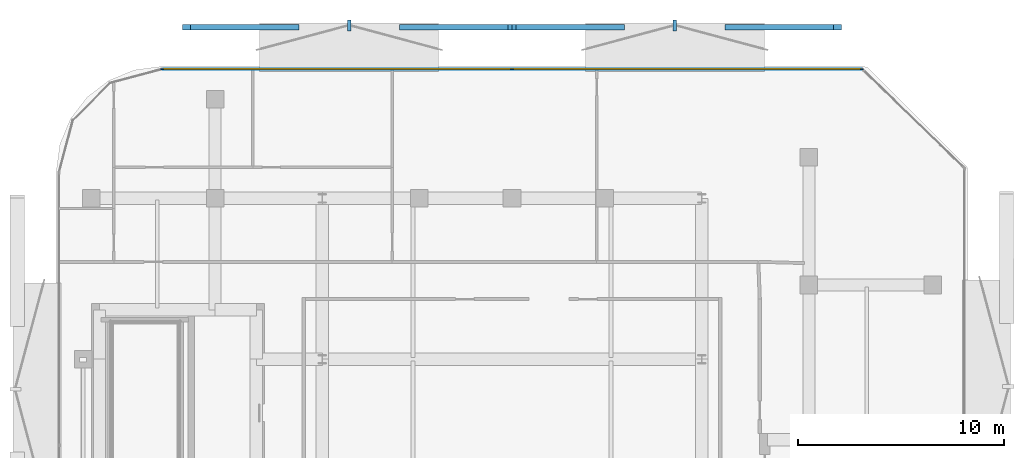
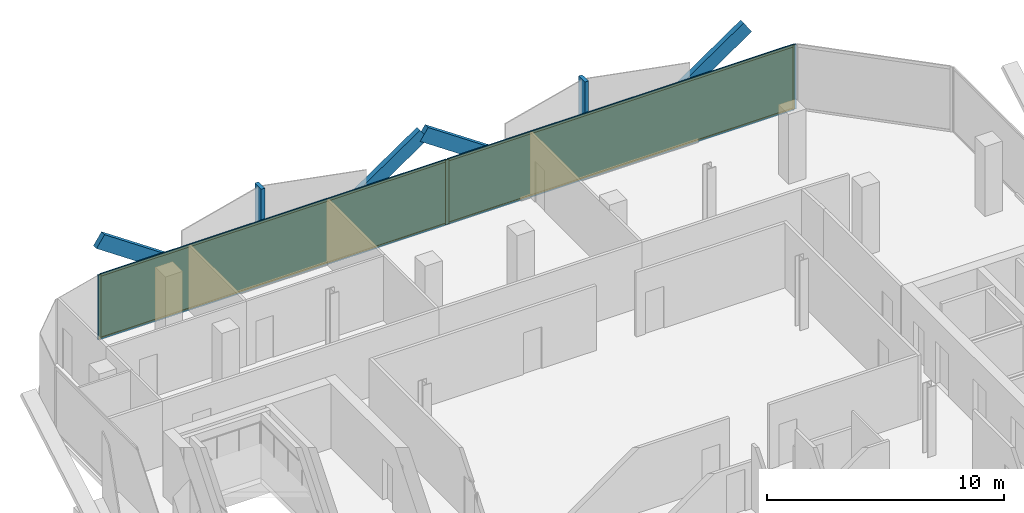
# One storey, part 10 of 14: 13 members, 2 plates, 1 curtain wall.
"""IFC4 building model written with IfcOpenShell, lengths in metres."""

import ifcopenshell
import ifcopenshell.guid

model = None  # the IFC model being written
_history = None  # IfcOwnerHistory: only IFC2X3 demands one
_inside = {}  # id of a spatial element -> (the spatial element, [elements in it])
_under = {}  # id of a project, library or spatial element -> (it, [spatial elements below it])
_declared = {}  # id of a project -> (the project, [libraries it declares])
_typed = {}  # id of a type object -> (the type object, [elements of that type])
_made_of = {}  # id of a material, layer set ... -> (it, [elements and type objects made of it])


def new_model(schema):
    """Start an empty IFC model of exactly this schema.

    Asked for "IFC4X3", IfcOpenShell would pick the latest addendum, in which some entities
    have other attributes; the version numbers below select the first issue.
    IFC2X3 requires an IfcOwnerHistory on every rooted entity: one is made here for all.
    """
    global model, _history
    if schema == "IFC4X3":
        model = ifcopenshell.file(schema_version=(4, 3, 0, 0))
    else:
        model = ifcopenshell.file(schema=schema)
    _inside.clear()
    _under.clear()
    _declared.clear()
    _typed.clear()
    _made_of.clear()
    _history = None
    if model.schema == "IFC2X3":
        org = make("IfcOrganization", Name="unknown")
        user = make(
            "IfcPersonAndOrganization",
            ThePerson=make("IfcPerson", FamilyName="unknown"),
            TheOrganization=org,
        )
        app = make(
            "IfcApplication",
            ApplicationDeveloper=org,
            Version="unknown",
            ApplicationFullName="unknown",
            ApplicationIdentifier="unknown",
        )
        _history = make(
            "IfcOwnerHistory",
            OwningUser=user,
            OwningApplication=app,
            ChangeAction="ADDED",
            CreationDate=0,
        )
    return model


def make(cls, **values):
    """One entity of the class cls with the attributes given. An attribute that is None is left unset."""
    return model.create_entity(
        cls, **{name: value for name, value in values.items() if value is not None}
    )


def rooted(cls, **values):
    """An entity with a GlobalId (a new one), such as an element, a storey or a relation."""
    return make(cls, GlobalId=ifcopenshell.guid.new(), OwnerHistory=_history, **values)


def si_unit(unit_type, name, prefix=None):
    """IfcSIUnit, for example si_unit("LENGTHUNIT", "METRE", prefix="MILLI")."""
    return make("IfcSIUnit", UnitType=unit_type, Prefix=prefix, Name=name)


def assignment(units):
    """IfcUnitAssignment: the units of a project."""
    return None if units is None else make("IfcUnitAssignment", Units=units)


def point(xyz):
    """IfcCartesianPoint."""
    return None if xyz is None else make("IfcCartesianPoint", Coordinates=xyz)


def direction(xyz):
    """IfcDirection."""
    return None if xyz is None else make("IfcDirection", DirectionRatios=xyz)


def frame(location, z_axis=None, x_axis=None):
    """IfcAxis2Placement3D, a coordinate frame: its origin and axes. An axis left out is left unset."""
    return make(
        "IfcAxis2Placement3D",
        Location=point(location),
        Axis=direction(z_axis),
        RefDirection=direction(x_axis),
    )


def frame_2d(location, x_axis=None):
    """IfcAxis2Placement2D, a coordinate frame in the plane: its origin and x axis."""
    return make(
        "IfcAxis2Placement2D", Location=point(location), RefDirection=direction(x_axis)
    )


def origin():
    """The frame at (0, 0, 0) with its axes left unset."""
    return frame((0.0, 0.0, 0.0))


def origin_2d():
    """The frame at (0, 0) in the plane with its x axis left unset."""
    return frame_2d((0.0, 0.0))


def place(relative_to, where):
    """IfcLocalPlacement: puts the frame where relative to a parent placement (None: the world)."""
    return make(
        "IfcLocalPlacement", PlacementRelTo=relative_to, RelativePlacement=where
    )


def context(
    kind, dimensions, precision=None, world=None, true_north=None, identifier=None
):
    """IfcGeometricRepresentationContext, for example the 3D "Model" context."""
    return make(
        "IfcGeometricRepresentationContext",
        ContextIdentifier=identifier,
        ContextType=kind,
        CoordinateSpaceDimension=dimensions,
        Precision=precision,
        WorldCoordinateSystem=world,
        TrueNorth=true_north,
    )


def subcontext(parent, identifier, kind, view, scale=None):
    """IfcGeometricRepresentationSubContext, for example "Body" below "Model"."""
    return make(
        "IfcGeometricRepresentationSubContext",
        ContextIdentifier=identifier,
        ContextType=kind,
        ParentContext=parent,
        TargetScale=scale,
        TargetView=view,
    )


def project(units=None, contexts=None):
    """IfcProject with its units and contexts."""
    return rooted(
        "IfcProject",
        Name="project",
        RepresentationContexts=contexts,
        UnitsInContext=assignment(units),
    )


def spatial(cls, under=None, at=None, **own):
    """A site, building, storey or space (cls), placed at a placement, below another one or the project."""
    s = rooted(cls, ObjectPlacement=at, **own)
    if under is not None:
        _under.setdefault(under.id(), (under, []))[1].append(s)
    return s


def profile(cls, at=None, kind="AREA", **sizes):
    """A parametric profile (cls). Its sizes go by their IFC names, for example OverallWidth=200.0."""
    return make(cls, ProfileType=kind, Position=at, **sizes)


def rectangle(**sizes):
    """IfcRectangleProfileDef."""
    return profile("IfcRectangleProfileDef", **sizes)


def extrude(swept, where, along, depth):
    """IfcExtrudedAreaSolid: the profile swept, set in the frame where, extruded along a direction by depth."""
    return make(
        "IfcExtrudedAreaSolid",
        SweptArea=swept,
        Position=where,
        ExtrudedDirection=direction(along),
        Depth=depth,
    )


def shape(context_of_items, identifier, shape_type, items):
    """IfcShapeRepresentation: the items that make up one representation, for example the "Body"."""
    return make(
        "IfcShapeRepresentation",
        ContextOfItems=context_of_items,
        RepresentationIdentifier=identifier,
        RepresentationType=shape_type,
        Items=items,
    )


def material(Name=None, Category=None):
    """IfcMaterial."""
    return make("IfcMaterial", Name=Name, Category=Category)


def layer(
    of_material, thickness, ventilated=None, Name=None, Category=None, Priority=None
):
    """IfcMaterialLayer: one layer of a wall or slab, of a material (None: an air gap)."""
    return make(
        "IfcMaterialLayer",
        Material=of_material,
        LayerThickness=thickness,
        IsVentilated=ventilated,
        Name=Name,
        Category=Category,
        Priority=Priority,
    )


def layer_set(layers, Name=None):
    """IfcMaterialLayerSet."""
    return make("IfcMaterialLayerSet", MaterialLayers=layers, LayerSetName=Name)


def material_profile(
    of_material, cross_section, Name=None, Category=None, Priority=None
):
    """IfcMaterialProfile: a cross section and its material."""
    return make(
        "IfcMaterialProfile",
        Name=Name,
        Material=of_material,
        Profile=cross_section,
        Priority=Priority,
        Category=Category,
    )


def profile_set(profiles, Name=None, composite=None):
    """IfcMaterialProfileSet."""
    return make(
        "IfcMaterialProfileSet",
        Name=Name,
        MaterialProfiles=profiles,
        CompositeProfile=composite,
    )


def made_of(thing, what):
    """Note that an element or type object is made of a material, layer set ...; save() writes the relation."""
    if what is not None:
        _made_of.setdefault(what.id(), (what, []))[1].append(thing)
    return thing


def type_object(cls, material=None, **own):
    """A type object (cls), such as IfcWallType, which elements share."""
    return made_of(rooted(cls, **own), material)


def element(
    cls,
    number,
    at=None,
    inside=None,
    cuts=None,
    type_object=None,
    material=None,
    context=None,
    identifier="Body",
    shape_type=None,
    held_by="IfcProductDefinitionShape",
    body=None,
    shapes=None,
    **own,
):
    """One element of the class cls, such as IfcWall. Its Tag is "e" and its number.

    at: its placement. inside: the storey or other place that contains it. cuts: it is an
    opening in that element (IfcRelVoidsElement). A single representation is given by context,
    identifier, shape_type and body (its items); several are given by shapes. held_by: the class
    of the entity that holds the representations. save() writes the other relations.
    """
    e = rooted(cls, Tag="e%d" % number, ObjectPlacement=at, **own)
    if body is not None:
        shapes = [shape(context, identifier, shape_type, body)]
    if shapes is not None:
        e.Representation = make(held_by, Representations=shapes)
    if inside is not None:
        _inside.setdefault(inside.id(), (inside, []))[1].append(e)
    if cuts is not None:
        rooted(
            "IfcRelVoidsElement", RelatingBuildingElement=cuts, RelatedOpeningElement=e
        )
    if type_object is not None:
        _typed.setdefault(type_object.id(), (type_object, []))[1].append(e)
    return made_of(e, material)


def aggregate(whole, parts):
    """IfcRelAggregates: a whole, such as a stair, and the parts it consists of."""
    return rooted("IfcRelAggregates", RelatingObject=whole, RelatedObjects=parts)


def save(model, path):
    """Write the relations noted so far, then the file.

    IfcRelAggregates (storeys below a building ...), IfcRelContainedInSpatialStructure (elements
    in a storey), IfcRelDefinesByType, IfcRelAssociatesMaterial and IfcRelDeclares: one each for
    every whole, place, type object, material and project.
    """
    for whole, parts in _under.values():
        aggregate(whole, parts)
    for where, things in _inside.values():
        rooted(
            "IfcRelContainedInSpatialStructure",
            RelatedElements=things,
            RelatingStructure=where,
        )
    for kind, things in _typed.values():
        rooted("IfcRelDefinesByType", RelatedObjects=things, RelatingType=kind)
    for what, things in _made_of.values():
        rooted("IfcRelAssociatesMaterial", RelatedObjects=things, RelatingMaterial=what)
    for by, libraries in _declared.values():
        rooted("IfcRelDeclares", RelatingContext=by, RelatedDefinitions=libraries)
    model.write(path)


model = new_model("IFC4")

# Units and contexts
model_context = context("Model", 3, precision=1e-05, world=origin(), true_north=direction((0.0, 1.0)))
body_context = subcontext(model_context, "Body", "Model", "MODEL_VIEW")
ifc_project = project(units=[si_unit("LENGTHUNIT", "METRE"), si_unit("AREAUNIT", "SQUARE_METRE"), si_unit("VOLUMEUNIT", "CUBIC_METRE"), si_unit("PLANEANGLEUNIT", "RADIAN"), si_unit("MASSUNIT", "GRAM", prefix="KILO")], contexts=[model_context])

# Member
ifc_material_1 = material(Name="Anodised Bronze Aluminium 6063-T6", Category="aluminium")
ifc_material_profile_1 = material_profile(ifc_material_1, rectangle(XDim=0.260009765625, YDim=0.699951171875, at=origin_2d()))
ifc_profile_set_1 = profile_set([ifc_material_profile_1], Name="Anodised Bronze Aluminium 6063-T6")
member_type_1 = type_object("IfcMemberType", Name="Bronze Diamond Solar-Screen Lattice Rib BDL-700", PredefinedType="MULLION", material=ifc_profile_set_1)
site_placement = place(None, origin())
building_placement = place(site_placement, origin())
storey_placement = place(building_placement, frame((0.0, 0.0, 240.39990234375)))
member_1_placement = place(storey_placement, frame((-5.263671875, 26.89990234375, -0.1298828125), z_axis=(0.82540678728, 0.0, 0.564538426958), x_axis=(0.0, 1.0, 0.0)))
member_1 = element("IfcMember", 1, at=member_1_placement, type_object=member_type_1, Name="L56 Bronze Diamond Solar Screen Lattice Rib 381A", PredefinedType="MULLION", context=body_context, shape_type="SweptSolid", body=[
    extrude(rectangle(XDim=0.260009765625, YDim=0.699951171875, at=origin_2d()), origin(), (0.0, 0.0, 1.0), 6.376953125),
])

member_2_placement = place(storey_placement, frame((-10.527099609375, 26.89990234375, -0.1298828125), z_axis=(-0.82540678728, 0.0, 0.564538426958), x_axis=(0.0, -1.0, 0.0)))
member_2 = element("IfcMember", 2, at=member_2_placement, type_object=member_type_1, Name="L56 Bronze Diamond Solar Screen Lattice Rib 381B", PredefinedType="MULLION", context=body_context, shape_type="SweptSolid", body=[
    extrude(rectangle(XDim=0.260009765625, YDim=0.699951171875, at=origin_2d()), origin(), (0.0, 0.0, 1.0), 6.376953125),
])

member_3_placement = place(storey_placement, frame((10.527099609375, 26.89990234375, -0.1298828125), z_axis=(0.82540678728, 0.0, 0.564538426958), x_axis=(0.0, 1.0, 0.0)))
member_3 = element("IfcMember", 3, at=member_3_placement, type_object=member_type_1, Name="L56 Bronze Diamond Solar Screen Lattice Rib 382A", PredefinedType="MULLION", context=body_context, shape_type="SweptSolid", body=[
    extrude(rectangle(XDim=0.260009765625, YDim=0.699951171875, at=origin_2d()), origin(), (0.0, 0.0, 1.0), 6.376953125),
])

member_4_placement = place(storey_placement, frame((5.263671875, 26.89990234375, -0.1298828125), z_axis=(-0.82540678728, 0.0, 0.564538426958), x_axis=(0.0, -1.0, 0.0)))
member_4 = element("IfcMember", 4, at=member_4_placement, type_object=member_type_1, Name="L56 Bronze Diamond Solar Screen Lattice Rib 382B", PredefinedType="MULLION", context=body_context, shape_type="SweptSolid", body=[
    extrude(rectangle(XDim=0.260009765625, YDim=0.699951171875, at=origin_2d()), origin(), (0.0, 0.0, 1.0), 6.376953125),
])

ifc_material_2 = material(Name="Anodised Bronze Aluminium 6063-T6", Category="aluminium")
ifc_material_profile_2 = material_profile(ifc_material_2, rectangle(XDim=0.179931640625, YDim=0.5400390625, at=origin_2d()))
ifc_profile_set_2 = profile_set([ifc_material_profile_2], Name="Anodised Bronze Aluminium 6063-T6")
member_type_2 = type_object("IfcMemberType", Name="Bronze Solar-Screen Vertical Fold Fin BSF-540", PredefinedType="MULLION", material=ifc_profile_set_2)
member_5_placement = place(storey_placement, frame((-7.8955078125, 26.97998046875, -0.1298828125), z_axis=(0.0, 0.0, 1.0), x_axis=(1.0, 0.0, 0.0)))
member_5 = element("IfcMember", 5, at=member_5_placement, type_object=member_type_2, Name="L56 Bronze Solar Screen Vertical Fin 381", PredefinedType="MULLION", context=body_context, shape_type="SweptSolid", body=[
    extrude(rectangle(XDim=0.179931640625, YDim=0.5400390625, at=origin_2d()), origin(), (0.0, 0.0, 1.0), 3.60009765625),
])

member_6_placement = place(storey_placement, frame((7.8955078125, 26.97998046875, -0.1298828125), z_axis=(0.0, 0.0, 1.0), x_axis=(1.0, 0.0, 0.0)))
member_6 = element("IfcMember", 6, at=member_6_placement, type_object=member_type_2, Name="L56 Bronze Solar Screen Vertical Fin 382", PredefinedType="MULLION", context=body_context, shape_type="SweptSolid", body=[
    extrude(rectangle(XDim=0.179931640625, YDim=0.5400390625, at=origin_2d()), origin(), (0.0, 0.0, 1.0), 3.60009765625),
])

ifc_material_3 = material(Name="Anodised Bronze Aluminium 6063-T6", Category="aluminium")
ifc_material_profile_3 = material_profile(ifc_material_3, rectangle(XDim=0.06005859375, YDim=0.159912109375, at=origin_2d()))
ifc_profile_set_3 = profile_set([ifc_material_profile_3], Name="Anodised Bronze Aluminium 6063-T6")
member_type_3 = type_object("IfcMemberType", Name="CW-Z4 Mullion 60x160", PredefinedType="MULLION", material=ifc_profile_set_3)
member_7_placement = place(storey_placement, frame((-16.960693359375, 24.860107421875, 0.0), z_axis=(0.0, 0.0, 1.0), x_axis=(0.0, 1.0, 0.0)))
member_7 = element("IfcMember", 7, at=member_7_placement, type_object=member_type_3, Name="CW-Z4 mullion 1", PredefinedType="MULLION", context=body_context, shape_type="SweptSolid", body=[
    extrude(rectangle(XDim=0.06005859375, YDim=0.159912109375, at=origin_2d()), origin(), (0.0, 0.0, 1.0), 3.340087890625),
])

member_8_placement = place(storey_placement, frame((0.0, 24.860107421875, 0.0), z_axis=(0.0, 0.0, 1.0), x_axis=(0.0, 1.0, 0.0)))
member_8 = element("IfcMember", 8, at=member_8_placement, type_object=member_type_3, Name="CW-Z4 mullion 2", PredefinedType="MULLION", context=body_context, shape_type="SweptSolid", body=[
    extrude(rectangle(XDim=0.06005859375, YDim=0.159912109375, at=origin_2d()), origin(), (0.0, 0.0, 1.0), 3.340087890625),
])

member_9_placement = place(storey_placement, frame((16.960693359375, 24.860107421875, 0.0), z_axis=(0.0, 0.0, 1.0), x_axis=(0.0, 1.0, 0.0)))
member_9 = element("IfcMember", 9, at=member_9_placement, type_object=member_type_3, Name="CW-Z4 mullion 3", PredefinedType="MULLION", context=body_context, shape_type="SweptSolid", body=[
    extrude(rectangle(XDim=0.06005859375, YDim=0.159912109375, at=origin_2d()), origin(), (0.0, 0.0, 1.0), 3.340087890625),
])

ifc_material_4 = material(Name="Anodised Bronze Aluminium 6063-T6", Category="aluminium")
ifc_material_profile_4 = material_profile(ifc_material_4, rectangle(XDim=0.06005859375, YDim=0.125, at=origin_2d()))
ifc_profile_set_4 = profile_set([ifc_material_profile_4], Name="Anodised Bronze Aluminium 6063-T6")
member_type_4 = type_object("IfcMemberType", Name="CW-Z4 Transom 60x125", PredefinedType="USERDEFINED", material=ifc_profile_set_4)
member_10_placement = place(storey_placement, frame((-16.930908203125, 24.860107421875, 0.030029296875), z_axis=(1.0, 0.0, 0.0), x_axis=(0.0, 1.0, 0.0)))
member_10 = element("IfcMember", 10, at=member_10_placement, type_object=member_type_4, Name="CW-Z4 transom 1.1", ObjectType="TRANSOM", PredefinedType="USERDEFINED", context=body_context, shape_type="SweptSolid", body=[
    extrude(rectangle(XDim=0.06005859375, YDim=0.125, at=origin_2d()), origin(), (0.0, 0.0, 1.0), 16.90087890625),
])

member_11_placement = place(storey_placement, frame((-16.930908203125, 24.860107421875, 3.31005859375), z_axis=(1.0, 0.0, 0.0), x_axis=(0.0, 1.0, 0.0)))
member_11 = element("IfcMember", 11, at=member_11_placement, type_object=member_type_4, Name="CW-Z4 transom 1.2", ObjectType="TRANSOM", PredefinedType="USERDEFINED", context=body_context, shape_type="SweptSolid", body=[
    extrude(rectangle(XDim=0.06005859375, YDim=0.125, at=origin_2d()), origin(), (0.0, 0.0, 1.0), 16.90087890625),
])

member_12_placement = place(storey_placement, frame((0.030029296875, 24.860107421875, 0.030029296875), z_axis=(1.0, 0.0, 0.0), x_axis=(0.0, 1.0, 0.0)))
member_12 = element("IfcMember", 12, at=member_12_placement, type_object=member_type_4, Name="CW-Z4 transom 2.1", ObjectType="TRANSOM", PredefinedType="USERDEFINED", context=body_context, shape_type="SweptSolid", body=[
    extrude(rectangle(XDim=0.06005859375, YDim=0.125, at=origin_2d()), origin(), (0.0, 0.0, 1.0), 16.90087890625),
])

member_13_placement = place(storey_placement, frame((0.030029296875, 24.860107421875, 3.31005859375), z_axis=(1.0, 0.0, 0.0), x_axis=(0.0, 1.0, 0.0)))
member_13 = element("IfcMember", 13, at=member_13_placement, type_object=member_type_4, Name="CW-Z4 transom 2.2", ObjectType="TRANSOM", PredefinedType="USERDEFINED", context=body_context, shape_type="SweptSolid", body=[
    extrude(rectangle(XDim=0.06005859375, YDim=0.125, at=origin_2d()), origin(), (0.0, 0.0, 1.0), 16.90087890625),
])

# Plate
ifc_material_5 = material(Name="Low-E Solar Control Laminated Glass", Category="glass")
ifc_layer_1 = layer(ifc_material_5, 0.030029296875, Name="Low-E Solar Control Laminated Glass")
ifc_layer_set_1 = layer_set([ifc_layer_1], Name="Low-E Solar Control Laminated Glass")
plate_type = type_object("IfcPlateType", Name="CW-Z4 Low-E Double Glazed Panel 30mm", PredefinedType="CURTAIN_PANEL", material=ifc_layer_set_1)
plate_1_placement = place(storey_placement, frame((-8.48046875, 24.860107421875, 0.06005859375), z_axis=(0.0, 0.0, 1.0), x_axis=(1.0, 0.0, 0.0)))
plate_1 = element("IfcPlate", 14, at=plate_1_placement, type_object=plate_type, Name="CW-Z4 panel 1.1", PredefinedType="CURTAIN_PANEL", context=body_context, shape_type="SweptSolid", body=[
    extrude(rectangle(XDim=16.90087890625, YDim=0.030029296875, at=origin_2d()), origin(), (0.0, 0.0, 1.0), 3.219970703125),
])

plate_2_placement = place(storey_placement, frame((8.48046875, 24.860107421875, 0.06005859375), z_axis=(0.0, 0.0, 1.0), x_axis=(1.0, 0.0, 0.0)))
plate_2 = element("IfcPlate", 15, at=plate_2_placement, type_object=plate_type, Name="CW-Z4 panel 2.1", PredefinedType="CURTAIN_PANEL", context=body_context, shape_type="SweptSolid", body=[
    extrude(rectangle(XDim=16.90087890625, YDim=0.030029296875, at=origin_2d()), origin(), (0.0, 0.0, 1.0), 3.219970703125),
])

# Site, building, storey
site = spatial("IfcSite", under=ifc_project, at=site_placement, CompositionType="ELEMENT")
building = spatial("IfcBuilding", under=site, at=building_placement, Name="Khairoan Windgate Tower", CompositionType="ELEMENT")
storey = spatial("IfcBuildingStorey", under=building, at=storey_placement, Name="L56", CompositionType="ELEMENT", Elevation=240.39990234375)

# Curtain wall
ifc_material_6 = material(Name="Anodised Bronze Aluminium 6063-T6", Category="aluminium")
ifc_layer_2 = layer(ifc_material_6, 0.159912109375, Name="Anodised Bronze Aluminium 6063-T6")
ifc_layer_set_2 = layer_set([ifc_layer_2], Name="Anodised Bronze Aluminium 6063-T6")
curtain_wall_type = type_object("IfcCurtainWallType", Name="Sky Residence Unitised Curtain Wall CW-Z4", PredefinedType="NOTDEFINED", material=ifc_layer_set_2)
curtain_wall_placement = place(storey_placement, frame((-16.99072265625, 24.860107421875, 0.0), z_axis=(0.0, 0.0, 1.0), x_axis=(1.0, 0.0, 0.0)))
curtain_wall = element("IfcCurtainWall", 16, at=curtain_wall_placement, inside=storey, type_object=curtain_wall_type, Name="L56 Unitised Curtain Wall 9", PredefinedType="NOTDEFINED", context=body_context, shape_type="SweptSolid", body=[
    extrude(rectangle(XDim=33.9814453125, YDim=0.010009765625, at=frame_2d((16.99072265625, 0.0))), origin(), (0.0, 0.0, 1.0), 3.340087890625),
])

aggregate(curtain_wall, [member_7, member_8, member_9, member_10, member_11, plate_1, member_12, member_13, plate_2, member_1, member_2, member_5, member_3, member_4, member_6])

save(model, "model.ifc")
